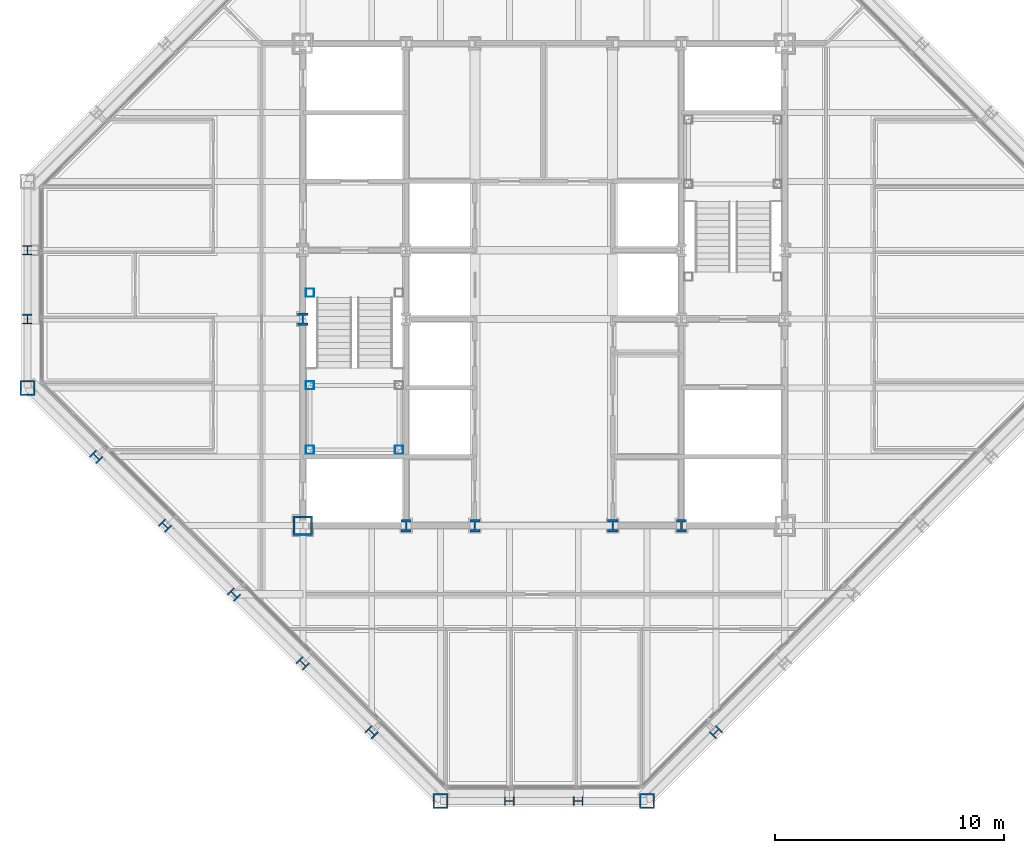
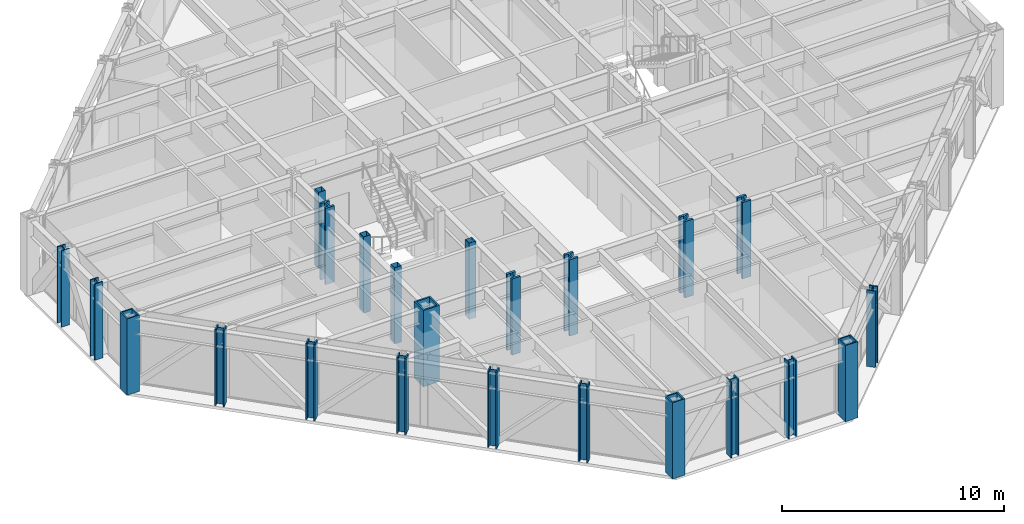
# One storey, part 1 of 15: 23 columns.
"""IFC4 building model written with IfcOpenShell, lengths in metres."""

from ifc_helpers import new_model, si_unit, direction, frame, origin, origin_2d, place, context, subcontext, project, spatial, hollow_rectangle, i_section, extrude, material, material_profile, profile_set, type_object, element, save


model = new_model("IFC4")

# Units and contexts
model_context = context("Model", 3, precision=1e-05, world=origin(), true_north=direction((0.0, 1.0)))
body_context = subcontext(model_context, "Body", "Model", "MODEL_VIEW")
ifc_project = project(units=[si_unit("LENGTHUNIT", "METRE"), si_unit("AREAUNIT", "SQUARE_METRE"), si_unit("VOLUMEUNIT", "CUBIC_METRE"), si_unit("PLANEANGLEUNIT", "RADIAN"), si_unit("MASSUNIT", "GRAM", prefix="KILO")], contexts=[model_context])

# Site, building, storey
site_placement = place(None, origin())
site = spatial("IfcSite", under=ifc_project, at=site_placement, CompositionType="ELEMENT")
building_placement = place(site_placement, origin())
building = spatial("IfcBuilding", under=site, at=building_placement, Name="Chuquiago Exchange Tower", CompositionType="ELEMENT")
storey_placement = place(building_placement, frame((0.0, 0.0, 270.60009765625)))
storey = spatial("IfcBuildingStorey", under=building, at=storey_placement, Name="L60", CompositionType="ELEMENT", Elevation=270.60009765625)

# Columns
ifc_material_1 = material(Name="Steel ASTM A992", Category="steel")
ifc_material_profile_1 = material_profile(ifc_material_1, i_section(OverallWidth=0.411376953125, OverallDepth=0.434326171875, WebThickness=0.035888671875, FlangeThickness=0.057373046875, at=origin_2d()), Name="W14X311")
ifc_profile_set_1 = profile_set([ifc_material_profile_1], Name="Steel ASTM A992")
column_type_1 = type_object("IfcColumnType", Name="C5 W14X311", PredefinedType="COLUMN", material=ifc_profile_set_1)
for number, where, z_axis, x_axis, name in (
    (1, (21.0, 0.0, 0.0), (0.0, 0.0, 1.0), (0.0, -1.0, 0.0), "COL-L60-21_0"),
    (2, (24.0, 0.0, 0.0), (0.0, 0.0, 1.0), (0.0, -1.0, 0.0), "COL-L60-24_0"),
    (3, (0.0, 24.0, 0.0), (0.0, 0.0, 1.0), (-1.0, 0.0, 0.0), "COL-L60-0_24"),
    (4, (0.0, 21.0, 0.0), (0.0, 0.0, 1.0), (-1.0, 0.0, 0.0), "COL-L60-0_21"),
):
    element("IfcColumn", number, at=place(storey_placement, frame(where, z_axis=z_axis, x_axis=x_axis)), inside=storey, type_object=column_type_1, Name=name, PredefinedType="COLUMN", context=body_context, shape_type="SweptSolid", body=[
        extrude(i_section(OverallWidth=0.411376953125, OverallDepth=0.434326171875, WebThickness=0.035888671875, FlangeThickness=0.057373046875, at=origin_2d()), origin(), (0.0, 0.0, 1.0), 4.199951171875),
    ])
ifc_material_2 = material(Name="Steel ASTM A992", Category="steel")
ifc_material_profile_2 = material_profile(ifc_material_2, i_section(OverallWidth=0.449462890625, OverallDepth=0.548583984375, WebThickness=0.07177734375, FlangeThickness=0.11474609375, at=origin_2d()), Name="W14X665")
ifc_profile_set_2 = profile_set([ifc_material_profile_2], Name="Steel ASTM A992")
column_type_2 = type_object("IfcColumnType", Name="CC5 W14X665", PredefinedType="COLUMN", material=ifc_profile_set_2)
for number, where, z_axis, x_axis, name in (
    (5, (16.5, 12.0, 0.0), (0.0, 0.0, 1.0), (1.0, 0.0, 0.0), "CCOL-L60-16.5_12"),
    (6, (19.5, 12.0, 0.0), (0.0, 0.0, 1.0), (1.0, 0.0, 0.0), "CCOL-L60-19.5_12"),
    (7, (25.5, 12.0, 0.0), (0.0, 0.0, 1.0), (1.0, 0.0, 0.0), "CCOL-L60-25.5_12"),
    (8, (28.5, 12.0, 0.0), (0.0, 0.0, 1.0), (1.0, 0.0, 0.0), "CCOL-L60-28.5_12"),
    (9, (12.0, 21.0, 0.0), (0.0, 0.0, 1.0), (1.0, 0.0, 0.0), "CCOL-L60-12_21"),
):
    element("IfcColumn", number, at=place(storey_placement, frame(where, z_axis=z_axis, x_axis=x_axis)), inside=storey, type_object=column_type_2, Name=name, PredefinedType="COLUMN", context=body_context, shape_type="SweptSolid", body=[
        extrude(i_section(OverallWidth=0.449462890625, OverallDepth=0.548583984375, WebThickness=0.07177734375, FlangeThickness=0.11474609375, at=origin_2d()), origin(), (0.0, 0.0, 1.0), 4.199951171875),
    ])
ifc_material_3 = material(Name="Steel ASTM A572 Grade 50", Category="steel")
ifc_material_profile_3 = material_profile(ifc_material_3, hollow_rectangle(XDim=0.85009765625, YDim=0.85009765625, WallThickness=0.0849609375, at=origin_2d()), Name="BOX850X850X85")
ifc_profile_set_3 = profile_set([ifc_material_profile_3], Name="Steel ASTM A572 Grade 50")
column_type_3 = type_object("IfcColumnType", Name="CC6 BOX850X850X85", PredefinedType="COLUMN", material=ifc_profile_set_3)
column_placement = place(storey_placement, frame((12.0, 12.0, 0.0), z_axis=(0.0, 0.0, 1.0), x_axis=(1.0, 0.0, 0.0)))
element("IfcColumn", 10, at=column_placement, inside=storey, type_object=column_type_3, Name="CCOL-L60-12_12", PredefinedType="COLUMN", context=body_context, shape_type="SweptSolid", body=[
    extrude(hollow_rectangle(XDim=0.85009765625, YDim=0.85009765625, WallThickness=0.0849609375, at=origin_2d()), origin(), (0.0, 0.0, 1.0), 4.199951171875),
])
ifc_material_4 = material(Name="Steel ASTM A992", Category="steel")
ifc_material_profile_4 = material_profile(ifc_material_4, i_section(OverallWidth=0.41650390625, OverallDepth=0.444580078125, WebThickness=0.0390625, FlangeThickness=0.062744140625, at=origin_2d()), Name="W14X342")
ifc_profile_set_4 = profile_set([ifc_material_profile_4], Name="Steel ASTM A992")
column_type_4 = type_object("IfcColumnType", Name="CK5 W14X342", PredefinedType="COLUMN", material=ifc_profile_set_4)
for number, where, z_axis, x_axis, name in (
    (11, (30.0, 3.0, 0.0), (0.0, 0.0, 1.0), (0.707106781187, -0.707106781187, 0.0), "COL-L60-30_3"),
    (12, (3.0, 15.0, 0.0), (0.0, 0.0, 1.0), (-0.707106781187, -0.707106781187, 0.0), "COL-L60-3_15"),
    (13, (6.0, 12.0, 0.0), (0.0, 0.0, 1.0), (-0.707106781187, -0.707106781187, 0.0), "COL-L60-6_12"),
    (14, (9.0, 9.0, 0.0), (0.0, 0.0, 1.0), (-0.707106781187, -0.707106781187, 0.0), "COL-L60-9_9"),
    (15, (12.0, 6.0, 0.0), (0.0, 0.0, 1.0), (-0.707106781187, -0.707106781187, 0.0), "COL-L60-12_6"),
    (16, (15.0, 3.0, 0.0), (0.0, 0.0, 1.0), (-0.707106781187, -0.707106781187, 0.0), "COL-L60-15_3"),
):
    element("IfcColumn", number, at=place(storey_placement, frame(where, z_axis=z_axis, x_axis=x_axis)), inside=storey, type_object=column_type_4, Name=name, PredefinedType="COLUMN", context=body_context, shape_type="SweptSolid", body=[
        extrude(i_section(OverallWidth=0.41650390625, OverallDepth=0.444580078125, WebThickness=0.0390625, FlangeThickness=0.062744140625, at=origin_2d()), origin(), (0.0, 0.0, 1.0), 4.199951171875),
    ])
ifc_material_5 = material(Name="Steel ASTM A572 Grade 50", Category="steel")
ifc_material_profile_5 = material_profile(ifc_material_5, hollow_rectangle(XDim=0.64990234375, YDim=0.64990234375, WallThickness=0.06494140625, at=origin_2d()), Name="BOX650X650X65")
ifc_profile_set_5 = profile_set([ifc_material_profile_5], Name="Steel ASTM A572 Grade 50")
column_type_5 = type_object("IfcColumnType", Name="CN2 BOX650X650X65", PredefinedType="COLUMN", material=ifc_profile_set_5)
for number, where, z_axis, x_axis, name in (
    (17, (18.0, 0.0, 0.0), (0.0, 0.0, 1.0), (0.0, -1.0, 0.0), "COL-L60-18_0"),
    (18, (27.0, 0.0, 0.0), (0.0, 0.0, 1.0), (0.0, -1.0, 0.0), "COL-L60-27_0"),
    (19, (0.0, 18.0, 0.0), (0.0, 0.0, 1.0), (-1.0, 0.0, 0.0), "COL-L60-0_18"),
):
    element("IfcColumn", number, at=place(storey_placement, frame(where, z_axis=z_axis, x_axis=x_axis)), inside=storey, type_object=column_type_5, Name=name, PredefinedType="COLUMN", context=body_context, shape_type="SweptSolid", body=[
        extrude(hollow_rectangle(XDim=0.64990234375, YDim=0.64990234375, WallThickness=0.06494140625, at=origin_2d()), origin(), (0.0, 0.0, 1.0), 4.199951171875),
    ])
ifc_material_6 = material(Name="Steel ASTM A500 Grade C", Category="steel")
ifc_material_profile_6 = material_profile(ifc_material_6, hollow_rectangle(XDim=0.355712890625, YDim=0.355712890625, WallThickness=0.0087890625, at=origin_2d()), Name="HSS14X14X3/8")
ifc_profile_set_6 = profile_set([ifc_material_profile_6], Name="Steel ASTM A500 Grade C")
column_type_6 = type_object("IfcColumnType", Name="PT1 HSS14X14X3/8", PredefinedType="COLUMN", material=ifc_profile_set_6)
for number, where, z_axis, x_axis, name in (
    (20, (12.31005859375, 15.31005859375, 0.0), (0.0, 0.0, 1.0), (1.0, 0.0, 0.0), "Stair ST1 L60 landing post"),
    (21, (16.18994140625, 15.31005859375, 0.0), (0.0, 0.0, 1.0), (1.0, 0.0, 0.0), "Stair ST1 L60 landing post"),
    (22, (12.31005859375, 18.110107421875, 0.0), (0.0, 0.0, 1.0), (1.0, 0.0, 0.0), "Stair ST1 L60 landing post"),
    (23, (12.31005859375, 22.14990234375, 0.0), (0.0, 0.0, 1.0), (1.0, 0.0, 0.0), "Stair ST1 L60 landing post"),
):
    element("IfcColumn", number, at=place(storey_placement, frame(where, z_axis=z_axis, x_axis=x_axis)), inside=storey, type_object=column_type_6, Name=name, PredefinedType="COLUMN", context=body_context, shape_type="SweptSolid", body=[
        extrude(hollow_rectangle(XDim=0.355712890625, YDim=0.355712890625, WallThickness=0.0087890625, at=origin_2d()), origin(), (0.0, 0.0, 1.0), 4.199951171875),
    ])

save(model, "model.ifc")
